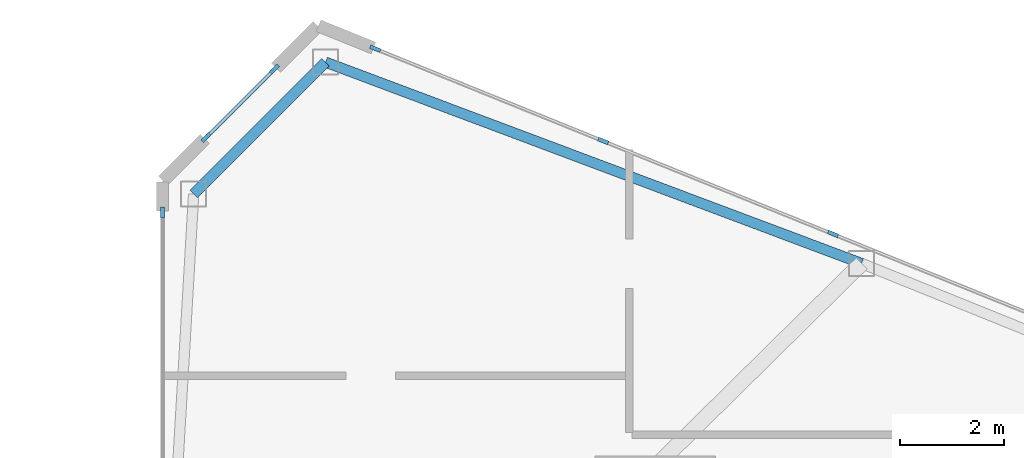
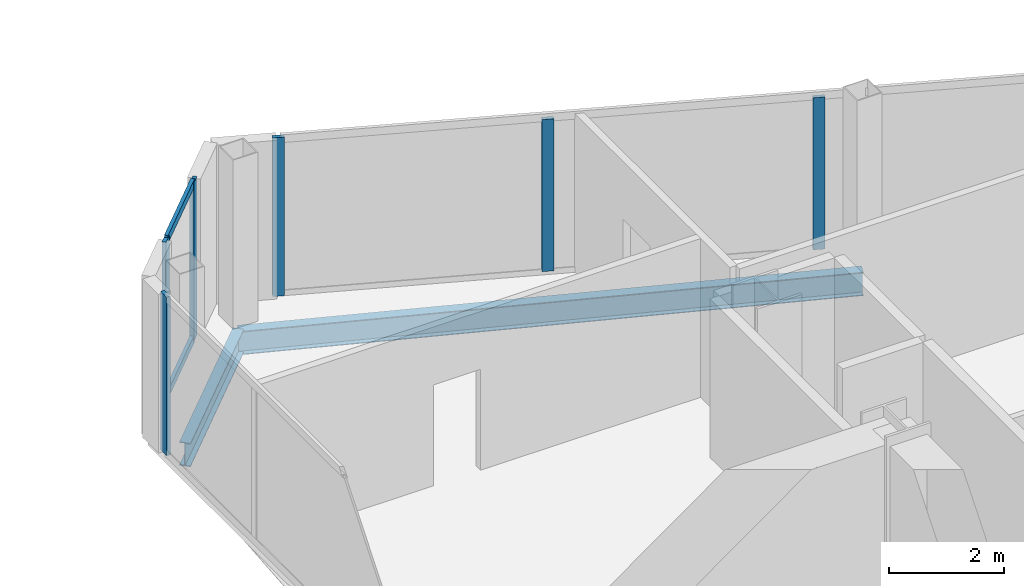
# One storey, part 13 of 25: 8 members, 2 beams, 3 elements without a shape of their own.
"""IFC4 building model written with IfcOpenShell, lengths in metres."""

from ifc_helpers import new_model, si_unit, direction, frame, origin, origin_2d, place, context, subcontext, project, spatial, rectangle, i_section, extrude, source, transform, mapped, material, layer, layer_set, material_profile, profile_set, type_object, type_shapes, element, aggregate, save


model = new_model("IFC4")

# Units and contexts
model_context = context("Model", 3, precision=1e-05, world=origin(), true_north=direction((0.0, 1.0)))
body_context = subcontext(model_context, "Body", "Model", "MODEL_VIEW")
ifc_project = project(units=[si_unit("LENGTHUNIT", "METRE"), si_unit("AREAUNIT", "SQUARE_METRE"), si_unit("VOLUMEUNIT", "CUBIC_METRE"), si_unit("PLANEANGLEUNIT", "RADIAN"), si_unit("MASSUNIT", "GRAM", prefix="KILO")], contexts=[model_context])

# Site, building, storey
site_placement = place(None, origin())
site = spatial("IfcSite", under=ifc_project, at=site_placement, CompositionType="ELEMENT")
building_placement = place(site_placement, origin())
building = spatial("IfcBuilding", under=site, at=building_placement, Name="Seokmaru Belvedere", CompositionType="ELEMENT")
storey_placement = place(building_placement, frame((0.0, 0.0, 58.5)))
storey = spatial("IfcBuildingStorey", under=building, at=storey_placement, Name="L15", CompositionType="ELEMENT", Elevation=58.5)

# Beams
ifc_material_1 = material(Name="Steel SM355 (355 MPa)", Category="steel")
ifc_material_profile_1 = material_profile(ifc_material_1, i_section(OverallWidth=0.199951171875, OverallDepth=0.5, WebThickness=0.010009765625, FlangeThickness=0.01611328125, at=origin_2d()), Name="H-500x200x10x16")
ifc_profile_set_1 = profile_set([ifc_material_profile_1], Name="Steel SM355 (355 MPa)")
beam_type = type_object("IfcBeamType", Name="Perimeter Spandrel Beam H-500", PredefinedType="SPANDREL", material=ifc_profile_set_1)
shared_shape_1 = source(origin(), body_context, "Body", "SweptSolid", [
    extrude(i_section(OverallWidth=0.199951171875, OverallDepth=0.5, WebThickness=0.010009765625, FlangeThickness=0.01611328125, at=origin_2d()), origin(), (0.0, 0.0, 1.0), 11.03857421875),
])
beam_1_placement = place(storey_placement, frame((30.643310546875, 26.294677734375, -0.469970703125), z_axis=(0.936169110734, -0.351549990907, 0.0), x_axis=(0.351549990907, 0.936169110734, 0.0)))
element("IfcBeam", 1, at=beam_1_placement, inside=storey, type_object=beam_type, Name="L15 E Faceted Flank Spandrel N-1", PredefinedType="SPANDREL", context=body_context, shape_type="MappedRepresentation", body=[
    mapped(shared_shape_1, transform((0.0, 0.0, 0.0), scale=1.0)),
])
shared_shape_2 = source(origin(), body_context, "Body", "SweptSolid", [
    extrude(i_section(OverallWidth=0.199951171875, OverallDepth=0.5, WebThickness=0.010009765625, FlangeThickness=0.01611328125, at=origin_2d()), origin(), (0.0, 0.0, 1.0), 3.5966796875),
])
type_shapes(beam_type, [shared_shape_1, shared_shape_2])
beam_2_placement = place(storey_placement, frame((30.643310546875, 26.294677734375, -0.469970703125), z_axis=(-0.707106781187, -0.707106781187, 0.0), x_axis=(0.707106781187, -0.707106781187, 0.0)))
element("IfcBeam", 2, at=beam_2_placement, inside=storey, type_object=beam_type, Name="L15 E Shoulder Chamfer Spandrel N", PredefinedType="SPANDREL", context=body_context, shape_type="MappedRepresentation", body=[
    mapped(shared_shape_2, transform((0.0, 0.0, 0.0), scale=1.0)),
])

# Curtain wall, members
ifc_material_2 = material(Name="Bronze Triple Insulating Glass", Category="glass")
ifc_layer = layer(ifc_material_2, 0.2099609375)
ifc_layer_set = layer_set([ifc_layer], Name="Bronze Triple Insulating Glass")
curtain_wall_type = type_object("IfcCurtainWallType", Name="Low-Rise Faceted Crystal Curtain Wall System CW-2", PredefinedType="NOTDEFINED", material=ifc_layer_set)
curtain_wall_1_placement = place(storey_placement, origin())
curtain_wall_1 = element("IfcCurtainWall", 3, at=curtain_wall_1_placement, inside=storey, type_object=curtain_wall_type, Name="L15 Curtain Wall EF4", PredefinedType="NOTDEFINED")
ifc_material_3 = material(Name="Anodised Bronze Aluminium", Category="aluminium")
ifc_material_profile_2 = material_profile(ifc_material_3, rectangle(XDim=0.070068359375, YDim=0.1650390625, at=origin_2d()), Name="CW-T-70x165")
ifc_profile_set_2 = profile_set([ifc_material_profile_2], Name="Anodised Bronze Aluminium")
member_type_1 = type_object("IfcMemberType", Name="Bronze Unitised Transom 70x165", PredefinedType="USERDEFINED", material=ifc_profile_set_2)
shared_shape_3 = source(origin(), body_context, "Body", "SweptSolid", [
    extrude(rectangle(XDim=0.070068359375, YDim=0.1650390625, at=origin_2d()), origin(), (0.0, 0.0, 1.0), 1.792724609375),
])
type_shapes(member_type_1, [shared_shape_3])
member_1_placement = place(storey_placement, frame((29.6337890625, 26.1337890625, 0.034912109375), z_axis=(-0.707106781187, -0.707106781187, 0.0), x_axis=(0.707106781187, -0.707106781187, 0.0)))
member_1 = element("IfcMember", 4, at=member_1_placement, type_object=member_type_1, Name="CW:L15:EF4 Continuous Transom 1", ObjectType="TRANSOM", PredefinedType="USERDEFINED", context=body_context, shape_type="MappedRepresentation", body=[
    mapped(shared_shape_3, transform((0.0, 0.0, 0.0), scale=1.0)),
])
member_2_placement = place(storey_placement, frame((29.6337890625, 26.1337890625, 3.344970703125), z_axis=(-0.707106781187, -0.707106781187, 0.0), x_axis=(0.707106781187, -0.707106781187, 0.0)))
member_2 = element("IfcMember", 5, at=member_2_placement, type_object=member_type_1, Name="CW:L15:EF4 Continuous Transom 2", ObjectType="TRANSOM", PredefinedType="USERDEFINED", context=body_context, shape_type="MappedRepresentation", body=[
    mapped(shared_shape_3, transform((0.0, 0.0, 0.0), scale=1.0)),
])

curtain_wall_2_placement = place(storey_placement, origin())
curtain_wall_2 = element("IfcCurtainWall", 6, at=curtain_wall_2_placement, inside=storey, type_object=curtain_wall_type, Name="L15 Curtain Wall EF3", PredefinedType="NOTDEFINED")
ifc_material_profile_3 = material_profile(ifc_material_3, rectangle(XDim=0.074951171875, YDim=0.2099609375, at=origin_2d()), Name="CW-M-75x210")
ifc_profile_set_3 = profile_set([ifc_material_profile_3], Name="Anodised Bronze Aluminium")
member_type_2 = type_object("IfcMemberType", Name="Bronze Unitised Mullion 75x210", PredefinedType="MULLION", material=ifc_profile_set_3)
shared_shape_4 = source(origin(), body_context, "Body", "SweptSolid", [
    extrude(rectangle(XDim=0.074951171875, YDim=0.2099609375, at=origin_2d()), origin(), (0.0, 0.0, 1.0), 3.239990234375),
])
member_3_placement = place(storey_placement, frame((40.425537109375, 22.982421875, 0.070068359375), z_axis=(0.0, 0.0, 1.0), x_axis=(-0.375192321888, -0.926946989637, 0.0)))
member_3 = element("IfcMember", 7, at=member_3_placement, type_object=member_type_2, Name="CW:L15:EF3 Mullion 8", PredefinedType="MULLION", context=body_context, shape_type="MappedRepresentation", body=[
    mapped(shared_shape_4, transform((0.0, 0.0, 0.0), scale=1.0)),
])
member_4_placement = place(storey_placement, frame((35.995849609375, 24.775390625, 0.070068359375), z_axis=(0.0, 0.0, 1.0), x_axis=(-0.375192321888, -0.926946989637, 0.0)))
member_4 = element("IfcMember", 8, at=member_4_placement, type_object=member_type_2, Name="CW:L15:EF3 Mullion 9", PredefinedType="MULLION", context=body_context, shape_type="MappedRepresentation", body=[
    mapped(shared_shape_4, transform((0.0, 0.0, 0.0), scale=1.0)),
])
shared_shape_5 = source(origin(), body_context, "Body", "SweptSolid", [
    extrude(rectangle(XDim=0.074951171875, YDim=0.2099609375, at=origin_2d()), origin(), (0.0, 0.0, 1.0), 3.3798828125),
])
type_shapes(member_type_2, [shared_shape_4, shared_shape_5])
member_5_placement = place(storey_placement, frame((31.600830078125, 26.554443359375, 0.0), z_axis=(0.0, 0.0, 1.0), x_axis=(-0.375192321888, -0.926946989637, 0.0)))
member_5 = element("IfcMember", 9, at=member_5_placement, type_object=member_type_2, Name="CW:L15:EF3 Mullion 10", PredefinedType="MULLION", context=body_context, shape_type="MappedRepresentation", body=[
    mapped(shared_shape_5, transform((0.0, 0.0, 0.0), scale=1.0)),
])
aggregate(curtain_wall_2, [member_3, member_4, member_5])

# Member
member_6_placement = place(storey_placement, frame((29.660400390625, 26.160400390625, 0.0), z_axis=(0.0, 0.0, 1.0), x_axis=(0.707106781187, -0.707106781187, 0.0)))
member_6 = element("IfcMember", 10, at=member_6_placement, type_object=member_type_2, Name="CW:L15:EF4 Mullion 1", PredefinedType="MULLION", context=body_context, shape_type="MappedRepresentation", body=[
    mapped(shared_shape_5, transform((0.0, 0.0, 0.0), scale=1.0)),
])

member_7_placement = place(storey_placement, frame((28.339599609375, 24.839599609375, 0.0), z_axis=(0.0, 0.0, 1.0), x_axis=(0.707106781187, -0.707106781187, 0.0)))
member_7 = element("IfcMember", 11, at=member_7_placement, type_object=member_type_2, Name="CW:L15:EF4 Mullion 2", PredefinedType="MULLION", context=body_context, shape_type="MappedRepresentation", body=[
    mapped(shared_shape_5, transform((0.0, 0.0, 0.0), scale=1.0)),
])

aggregate(curtain_wall_1, [member_6, member_7, member_1, member_2])

# Curtain wall, member
curtain_wall_3_placement = place(storey_placement, origin())
curtain_wall_3 = element("IfcCurtainWall", 12, at=curtain_wall_3_placement, inside=storey, type_object=curtain_wall_type, Name="L15 Curtain Wall ESP_2", PredefinedType="NOTDEFINED")
member_8_placement = place(storey_placement, frame((27.5, 23.392578125, 0.0), z_axis=(0.0, 0.0, 1.0), x_axis=(1.0, 0.0, 0.0)))
member_8 = element("IfcMember", 13, at=member_8_placement, type_object=member_type_2, Name="CW:L15:ESP_2 Mullion 1", PredefinedType="MULLION", context=body_context, shape_type="MappedRepresentation", body=[
    mapped(shared_shape_5, transform((0.0, 0.0, 0.0), scale=1.0)),
])
aggregate(curtain_wall_3, [member_8])

save(model, "model.ifc")
